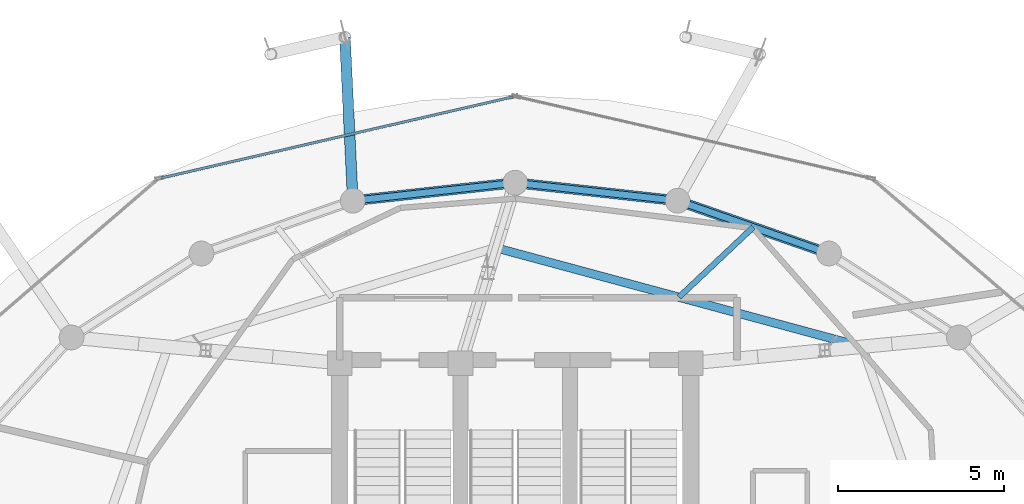
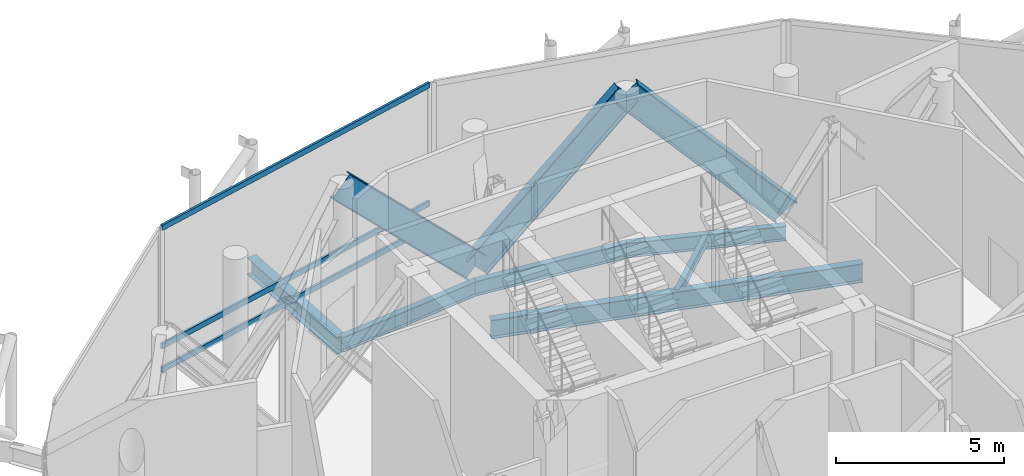
# One storey, part 14 of 26: 6 beams, 6 members, 1 element without a shape of its own.
"""IFC4 building model written with IfcOpenShell, lengths in metres."""

from ifc_helpers import new_model, si_unit, direction, frame, origin, origin_2d, place, context, subcontext, project, spatial, hollow_rectangle, i_section, extrude, material, layer, layer_set, material_profile, profile_set, type_object, element, aggregate, save


model = new_model("IFC4")

# Units and contexts
model_context = context("Model", 3, precision=1e-05, world=origin(), true_north=direction((0.0, 1.0)))
body_context = subcontext(model_context, "Body", "Model", "MODEL_VIEW")
ifc_project = project(units=[si_unit("LENGTHUNIT", "METRE"), si_unit("AREAUNIT", "SQUARE_METRE"), si_unit("VOLUMEUNIT", "CUBIC_METRE"), si_unit("PLANEANGLEUNIT", "RADIAN"), si_unit("MASSUNIT", "GRAM", prefix="KILO")], contexts=[model_context])

# Site, building, storey
site_placement = place(None, origin())
site = spatial("IfcSite", under=ifc_project, at=site_placement, CompositionType="ELEMENT")
building_placement = place(site_placement, origin())
building = spatial("IfcBuilding", under=site, at=building_placement, Name="Nuhasar Tower", CompositionType="ELEMENT")
storey_placement = place(building_placement, frame((0.0, 0.0, 301.199951171875)))
storey = spatial("IfcBuildingStorey", under=building, at=storey_placement, Name="L75", CompositionType="ELEMENT", Elevation=301.199951171875)

# Members
ifc_material_1 = material(Name="Steel S460", Category="steel")
ifc_material_profile_1 = material_profile(ifc_material_1, i_section(OverallWidth=0.306884765625, OverallDepth=0.927001953125, WebThickness=0.019287109375, FlangeThickness=0.031982421875, at=origin_2d()), Name="W36X194")
ifc_profile_set_1 = profile_set([ifc_material_profile_1], Name="Steel S460")
member_type_1 = type_object("IfcMemberType", Name="BLT-DIAG-W36B", PredefinedType="CHORD", material=ifc_profile_set_1)
member_1_placement = place(storey_placement, frame((48.47509765625, 40.613037109375, 0.150146484375), z_axis=(-0.660125360585, 0.230245124166, 0.714997686087), x_axis=(-0.329332415729, -0.944214043504, 0.0)))
element("IfcMember", 1, at=member_1_placement, inside=storey, type_object=member_type_1, Name="L75 Belt Truss Diagonal 05", PredefinedType="CHORD", context=body_context, shape_type="SweptSolid", body=[
    extrude(i_section(OverallWidth=0.306884765625, OverallDepth=0.927001953125, WebThickness=0.019287109375, FlangeThickness=0.031982421875, at=origin_2d()), origin(), (0.0, 0.0, 1.0), 6.923095703125),
])
for number, where, z_axis, x_axis, name in (
    (2, (39.0, 42.75, 0.150146484375), (0.70174933839, -0.077681077526, 0.708176190128), (0.110024283128, 0.99392889943, 0.0), "L75 Belt Truss Diagonal 06"),
    (3, (39.0, 42.75, 0.150146484375), (-0.70174933839, -0.077681077526, 0.708176190128), (0.110024283128, -0.99392889943, 0.0), "L75 Belt Truss Diagonal 07"),
):
    element("IfcMember", number, at=place(storey_placement, frame(where, z_axis=z_axis, x_axis=x_axis)), inside=storey, type_object=member_type_1, Name=name, PredefinedType="CHORD", context=body_context, shape_type="SweptSolid", body=[
        extrude(i_section(OverallWidth=0.306884765625, OverallDepth=0.927001953125, WebThickness=0.019287109375, FlangeThickness=0.031982421875, at=origin_2d()), origin(), (0.0, 0.0, 1.0), 6.98974609375),
    ])

# Beams
ifc_material_2 = material(Name="Steel S355", Category="steel")
ifc_material_profile_2 = material_profile(ifc_material_2, i_section(OverallWidth=0.25390625, OverallDepth=0.68408203125, WebThickness=0.012451171875, FlangeThickness=0.018798828125, at=origin_2d()), Name="W27X94")
ifc_profile_set_2 = profile_set([ifc_material_profile_2], Name="Steel S355")
beam_type_1 = type_object("IfcBeamType", Name="BM-INRING-W27X94", PredefinedType="BEAM", material=ifc_profile_set_2)
beam_1_placement = place(storey_placement, frame((49.48388671875, 37.798095703125, -0.69189453125), z_axis=(-0.965451835482, 0.260581567584, 0.0), x_axis=(-0.260581567584, -0.965451835482, 0.0)))
element("IfcBeam", 4, at=beam_1_placement, inside=storey, type_object=beam_type_1, Name="L75 Inner Header Beam 05", PredefinedType="BEAM", context=body_context, shape_type="SweptSolid", body=[
    extrude(i_section(OverallWidth=0.25390625, OverallDepth=0.68408203125, WebThickness=0.012451171875, FlangeThickness=0.018798828125, at=origin_2d()), origin(), (0.0, 0.0, 1.0), 11.474365234375),
])
ifc_material_profile_3 = material_profile(ifc_material_2, i_section(OverallWidth=0.1708984375, OverallDepth=0.35205078125, WebThickness=0.0068359375, FlangeThickness=0.009765625, at=origin_2d()), Name="W14X30")
ifc_profile_set_3 = profile_set([ifc_material_profile_3], Name="Steel S355")
beam_type_2 = type_object("IfcBeamType", Name="BM-JST-W14X30", PredefinedType="JOIST", material=ifc_profile_set_3)
beam_2_placement = place(storey_placement, frame((43.945068359375, 39.29296875, -0.52587890625), z_axis=(0.727532985224, 0.686072704173, 0.0), x_axis=(-0.686072704173, 0.727532985224, 0.0)))
element("IfcBeam", 5, at=beam_2_placement, inside=storey, type_object=beam_type_2, Name="L75 Secondary Floor Joist 05", PredefinedType="JOIST", context=body_context, shape_type="SweptSolid", body=[
    extrude(i_section(OverallWidth=0.1708984375, OverallDepth=0.35205078125, WebThickness=0.0068359375, FlangeThickness=0.009765625, at=origin_2d()), origin(), (0.0, 0.0, 1.0), 3.085693359375),
])
ifc_material_profile_4 = material_profile(ifc_material_2, i_section(OverallWidth=0.2099609375, OverallDepth=0.537109375, WebThickness=0.010986328125, FlangeThickness=0.017333984375, at=origin_2d()), Name="W21X68")
ifc_profile_set_4 = profile_set([ifc_material_profile_4], Name="Steel S355")
beam_type_3 = type_object("IfcBeamType", Name="BM-RING-W21X68", PredefinedType="SPANDREL", material=ifc_profile_set_4)
beam_3_placement = place(storey_placement, frame((48.47509765625, 40.613037109375, -0.617919921875), z_axis=(-0.944214043504, 0.329332415729, 0.0), x_axis=(-0.329332415729, -0.944214043504, 0.0)))
element("IfcBeam", 6, at=beam_3_placement, inside=storey, type_object=beam_type_3, Name="L75 Perimeter Ring Spandrel 05", PredefinedType="SPANDREL", context=body_context, shape_type="SweptSolid", body=[
    extrude(i_section(OverallWidth=0.2099609375, OverallDepth=0.537109375, WebThickness=0.010986328125, FlangeThickness=0.017333984375, at=origin_2d()), origin(), (0.0, 0.0, 1.0), 4.840087890625),
])
for number, where, z_axis, x_axis, name in (
    (7, (43.905029296875, 42.20703125, -0.617919921875), (-0.99392889943, 0.110024283128, 0.0), (-0.110024283128, -0.99392889943, 0.0), "L75 Perimeter Ring Spandrel 06"),
    (8, (39.0, 42.75, -0.617919921875), (-0.99392889943, -0.110024283128, 0.0), (0.110024283128, -0.99392889943, 0.0), "L75 Perimeter Ring Spandrel 07"),
):
    element("IfcBeam", number, at=place(storey_placement, frame(where, z_axis=z_axis, x_axis=x_axis)), inside=storey, type_object=beam_type_3, Name=name, PredefinedType="SPANDREL", context=body_context, shape_type="SweptSolid", body=[
        extrude(i_section(OverallWidth=0.2099609375, OverallDepth=0.537109375, WebThickness=0.010986328125, FlangeThickness=0.017333984375, at=origin_2d()), origin(), (0.0, 0.0, 1.0), 4.93505859375),
    ])
ifc_material_profile_5 = material_profile(ifc_material_2, i_section(OverallWidth=0.323974609375, OverallDepth=0.611083984375, WebThickness=0.0126953125, FlangeThickness=0.01904296875, at=origin_2d()), Name="W24X104")
ifc_profile_set_5 = profile_set([ifc_material_profile_5], Name="Steel S355")
beam_type_4 = type_object("IfcBeamType", Name="BM-TIE-W24X104", PredefinedType="BEAM", material=ifc_profile_set_5)
beam_4_placement = place(storey_placement, frame((34.094970703125, 42.20703125, -0.655029296875), z_axis=(-0.048111398417, 0.998841976162, 0.0), x_axis=(-0.998841976162, -0.048111398417, 0.0)))
element("IfcBeam", 9, at=beam_4_placement, inside=storey, type_object=beam_type_4, Name="L75 Exoskeleton Node Tie Beam 04", PredefinedType="BEAM", context=body_context, shape_type="SweptSolid", body=[
    extrude(i_section(OverallWidth=0.323974609375, OverallDepth=0.611083984375, WebThickness=0.0126953125, FlangeThickness=0.01904296875, at=origin_2d()), origin(), (0.0, 0.0, 1.0), 4.947509765625),
])

# Curtain wall, members
ifc_material_3 = material(Name="Aluminium 6063-T6", Category="aluminium")
ifc_layer = layer(ifc_material_3, 0.219970703125)
ifc_layer_set = layer_set([ifc_layer], Name="Aluminium 6063-T6")
curtain_wall_type = type_object("IfcCurtainWallType", Name="CW-CROWN", PredefinedType="NOTDEFINED", material=ifc_layer_set)
curtain_wall_placement = place(storey_placement, origin())
curtain_wall = element("IfcCurtainWall", 10, at=curtain_wall_placement, inside=storey, type_object=curtain_wall_type, Name="L75 Unitised Curtain Wall 04", PredefinedType="NOTDEFINED")
ifc_material_profile_6 = material_profile(ifc_material_3, hollow_rectangle(XDim=0.080078125, YDim=0.199951171875, WallThickness=0.00439453125, at=origin_2d()), Name="CWT-7")
ifc_profile_set_6 = profile_set([ifc_material_profile_6], Name="Aluminium 6063-T6")
member_type_2 = type_object("IfcMemberType", Name="CW-TRN-S7", PredefinedType="USERDEFINED", material=ifc_profile_set_6)
member_2_placement = place(storey_placement, frame((38.922119140625, 45.342041015625, 0.0400390625), z_axis=(-0.974402893209, -0.224808811449, 0.0), x_axis=(0.224808811449, -0.974402893209, 0.0)))
member_2 = element("IfcMember", 11, at=member_2_placement, type_object=member_type_2, Name="CW-CR transom 1.1", ObjectType="TRANSOM", PredefinedType="USERDEFINED", context=body_context, shape_type="SweptSolid", body=[
    extrude(hollow_rectangle(XDim=0.080078125, YDim=0.199951171875, WallThickness=0.00439453125, at=origin_2d()), origin(), (0.0, 0.0, 1.0), 10.9033203125),
])
member_3_placement = place(storey_placement, frame((38.922119140625, 45.342041015625, 0.900146484375), z_axis=(-0.974402893209, -0.224808811449, 0.0), x_axis=(0.224808811449, -0.974402893209, 0.0)))
member_3 = element("IfcMember", 12, at=member_3_placement, type_object=member_type_2, Name="CW-CR transom 1.2", ObjectType="TRANSOM", PredefinedType="USERDEFINED", context=body_context, shape_type="SweptSolid", body=[
    extrude(hollow_rectangle(XDim=0.080078125, YDim=0.199951171875, WallThickness=0.00439453125, at=origin_2d()), origin(), (0.0, 0.0, 1.0), 10.9033203125),
])
member_4_placement = place(storey_placement, frame((38.922119140625, 45.342041015625, 5.2099609375), z_axis=(-0.974402893209, -0.224808811449, 0.0), x_axis=(0.224808811449, -0.974402893209, 0.0)))
member_4 = element("IfcMember", 13, at=member_4_placement, type_object=member_type_2, Name="CW-CR transom 1.3", ObjectType="TRANSOM", PredefinedType="USERDEFINED", context=body_context, shape_type="SweptSolid", body=[
    extrude(hollow_rectangle(XDim=0.080078125, YDim=0.199951171875, WallThickness=0.00439453125, at=origin_2d()), origin(), (0.0, 0.0, 1.0), 10.9033203125),
])
aggregate(curtain_wall, [member_2, member_3, member_4])

save(model, "model.ifc")
